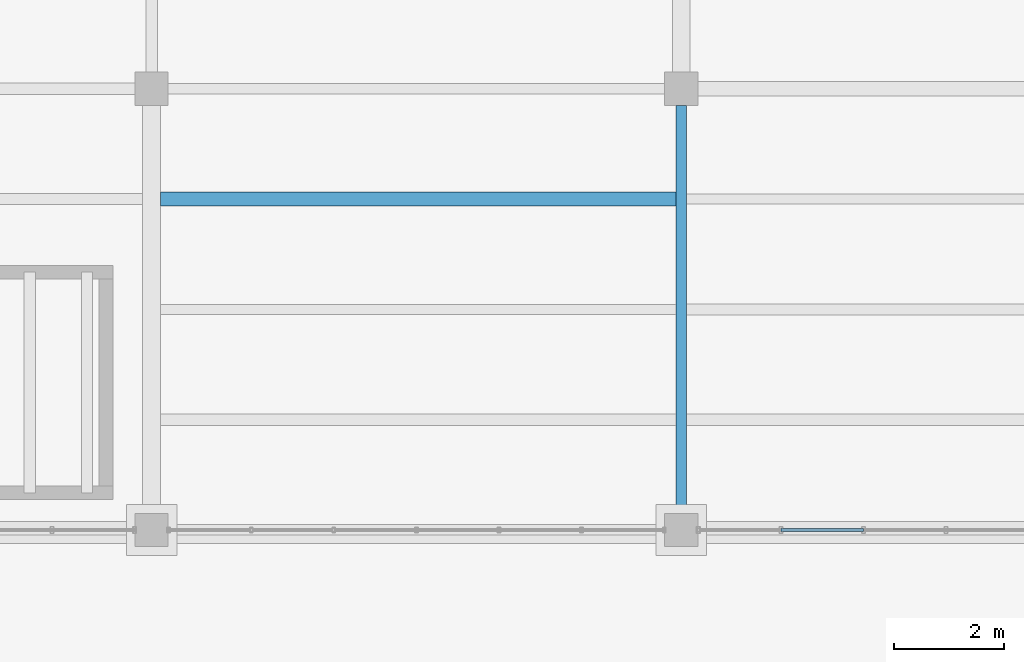
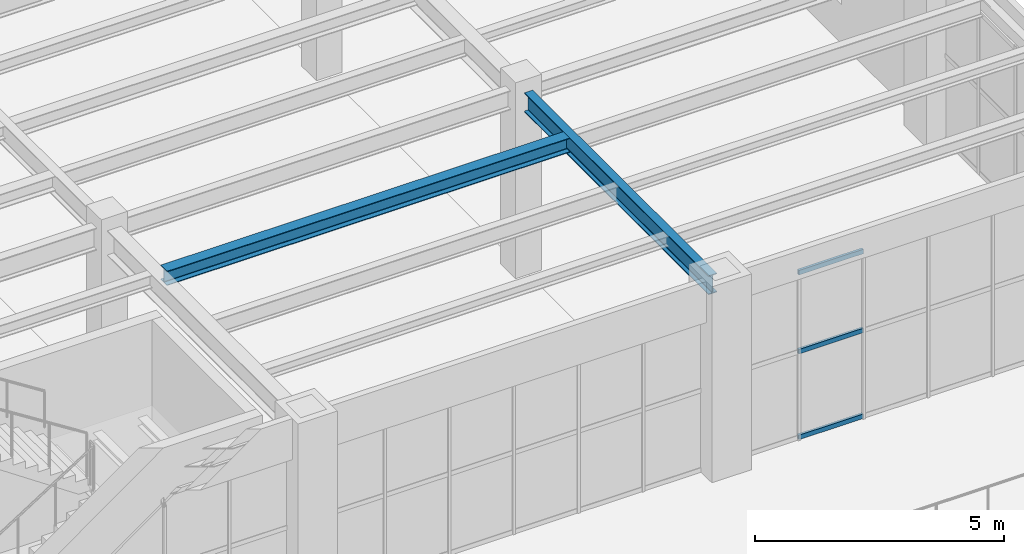
# One storey, part 36 of 83: 3 members, 2 beams, 1 element without a shape of its own.
"""IFC4 building model written with IfcOpenShell, lengths in metres."""

from ifc_helpers import new_model, si_unit, direction, frame, origin, origin_2d, place, context, subcontext, project, spatial, hollow_rectangle, i_section, extrude, material, material_profile, profile_set, type_object, element, aggregate, save


model = new_model("IFC4")

# Units and contexts
model_context = context("Model", 3, precision=1e-05, world=origin(), true_north=direction((0.0, 1.0)))
body_context = subcontext(model_context, "Body", "Model", "MODEL_VIEW")
ifc_project = project(units=[si_unit("LENGTHUNIT", "METRE"), si_unit("AREAUNIT", "SQUARE_METRE"), si_unit("VOLUMEUNIT", "CUBIC_METRE"), si_unit("PLANEANGLEUNIT", "RADIAN"), si_unit("MASSUNIT", "GRAM", prefix="KILO")], contexts=[model_context])

# Site, building, storey
site_placement = place(None, origin())
site = spatial("IfcSite", under=ifc_project, at=site_placement, CompositionType="ELEMENT")
building_placement = place(site_placement, origin())
building = spatial("IfcBuilding", under=site, at=building_placement, Name="Mavantir Sound Aquarium", CompositionType="ELEMENT")
storey_placement = place(building_placement, frame((0.0, 0.0, 10.5)))
storey = spatial("IfcBuildingStorey", under=building, at=storey_placement, Name="L02", CompositionType="ELEMENT", Elevation=10.5)

# Beams
ifc_material_1 = material(Name="Structural Steel ASTM A992 Gr50", Category="steel")
ifc_material_profile_1 = material_profile(ifc_material_1, i_section(OverallWidth=0.25390625, OverallDepth=0.35302734375, WebThickness=0.009521484375, FlangeThickness=0.016357421875, FilletRadius=0.014892578125, at=origin_2d()), Name="W360X91")
ifc_profile_set_1 = profile_set([ifc_material_profile_1], Name="Structural Steel ASTM A992 Gr50")
beam_type_1 = type_object("IfcBeamType", Name="BM-W360X91-I", PredefinedType="JOIST", material=ifc_profile_set_1)
beam_1_placement = place(storey_placement, frame((156.162109375, 46.800048828125, 4.3095703125), z_axis=(1.0, 0.0, 0.0), x_axis=(0.0, 1.0, 0.0)))
element("IfcBeam", 1, at=beam_1_placement, inside=storey, type_object=beam_type_1, Name="L02 secondary floor joist SJ-36 902", PredefinedType="JOIST", context=body_context, shape_type="SweptSolid", body=[
    extrude(i_section(OverallWidth=0.25390625, OverallDepth=0.35302734375, WebThickness=0.009521484375, FlangeThickness=0.016357421875, FilletRadius=0.014892578125, at=origin_2d()), origin(), (0.0, 0.0, 1.0), 9.3408203125),
])
ifc_material_profile_2 = material_profile(ifc_material_1, i_section(OverallWidth=0.194091796875, OverallDepth=0.468994140625, WebThickness=0.0126953125, FlangeThickness=0.0205078125, FilletRadius=0.01611328125, at=origin_2d()), Name="W460X106")
ifc_profile_set_2 = profile_set([ifc_material_profile_2], Name="Structural Steel ASTM A992 Gr50")
beam_type_2 = type_object("IfcBeamType", Name="BM-W460X106-I", PredefinedType="BEAM", material=ifc_profile_set_2)
beam_2_placement = place(storey_placement, frame((165.60009765625, 41.10009765625, 4.25146484375), z_axis=(0.0, 1.0, 0.0), x_axis=(-1.0, 0.0, 0.0)))
element("IfcBeam", 2, at=beam_2_placement, inside=storey, type_object=beam_type_2, Name="L02 primary girder SB-46 1596", PredefinedType="BEAM", context=body_context, shape_type="SweptSolid", body=[
    extrude(i_section(OverallWidth=0.194091796875, OverallDepth=0.468994140625, WebThickness=0.0126953125, FlangeThickness=0.0205078125, FilletRadius=0.01611328125, at=origin_2d()), origin(), (0.0, 0.0, 1.0), 7.39990234375),
])

# Curtain wall, members
ifc_material_2 = material(Name="Anodised Marine Aluminium and Low-E Glass", Category="aluminium")
curtain_wall_type = type_object("IfcCurtainWallType", Name="CW-T18", PredefinedType="USERDEFINED", material=ifc_material_2)
curtain_wall_placement = place(storey_placement, origin())
curtain_wall = element("IfcCurtainWall", 3, at=curtain_wall_placement, inside=storey, type_object=curtain_wall_type, Name="L02 unitised curtain wall CW-18 138", ObjectType="UNITISED GLAZING", PredefinedType="USERDEFINED")
ifc_material_3 = material(Name="Anodised Marine Aluminium 6063-T6", Category="aluminium")
ifc_material_profile_3 = material_profile(ifc_material_3, hollow_rectangle(XDim=0.06005859375, YDim=0.110107421875, WallThickness=0.00390625, at=origin_2d()), Name="ALU-TRANSOM-110X60")
ifc_profile_set_3 = profile_set([ifc_material_profile_3], Name="Anodised Marine Aluminium 6063-T6")
member_type = type_object("IfcMemberType", Name="CW-TRN-110", PredefinedType="USERDEFINED", material=ifc_profile_set_3)
member_1_placement = place(storey_placement, frame((167.4052734375, 40.800048828125, 0.054931640625), z_axis=(1.0, 0.0, 0.0), x_axis=(0.0, 1.0, 0.0)))
member_1 = element("IfcMember", 4, at=member_1_placement, type_object=member_type, Name="CW-L02-138 transom 2.1", ObjectType="TRANSOM", PredefinedType="USERDEFINED", context=body_context, shape_type="SweptSolid", body=[
    extrude(hollow_rectangle(XDim=0.06005859375, YDim=0.110107421875, WallThickness=0.00390625, at=origin_2d()), origin(), (0.0, 0.0, 1.0), 1.497314453125),
])
member_2_placement = place(storey_placement, frame((167.4052734375, 40.800048828125, 2.156982421875), z_axis=(1.0, 0.0, 0.0), x_axis=(0.0, 1.0, 0.0)))
member_2 = element("IfcMember", 5, at=member_2_placement, type_object=member_type, Name="CW-L02-138 transom 2.2", ObjectType="TRANSOM", PredefinedType="USERDEFINED", context=body_context, shape_type="SweptSolid", body=[
    extrude(hollow_rectangle(XDim=0.06005859375, YDim=0.110107421875, WallThickness=0.00390625, at=origin_2d()), origin(), (0.0, 0.0, 1.0), 1.497314453125),
])
member_3_placement = place(storey_placement, frame((167.4052734375, 40.800048828125, 4.093017578125), z_axis=(1.0, 0.0, 0.0), x_axis=(0.0, 1.0, 0.0)))
member_3 = element("IfcMember", 6, at=member_3_placement, type_object=member_type, Name="CW-L02-138 transom 2.3", ObjectType="TRANSOM", PredefinedType="USERDEFINED", context=body_context, shape_type="SweptSolid", body=[
    extrude(hollow_rectangle(XDim=0.06005859375, YDim=0.110107421875, WallThickness=0.00390625, at=origin_2d()), origin(), (0.0, 0.0, 1.0), 1.497314453125),
])
aggregate(curtain_wall, [member_1, member_2, member_3])

save(model, "model.ifc")
